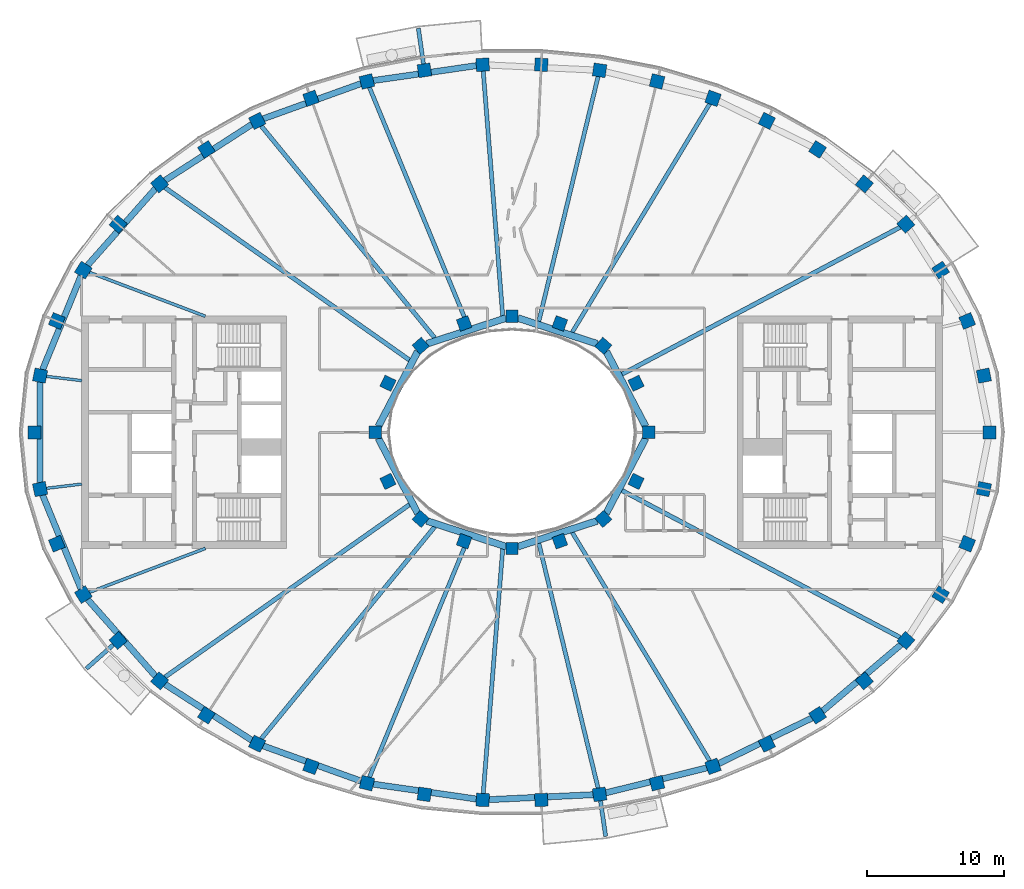
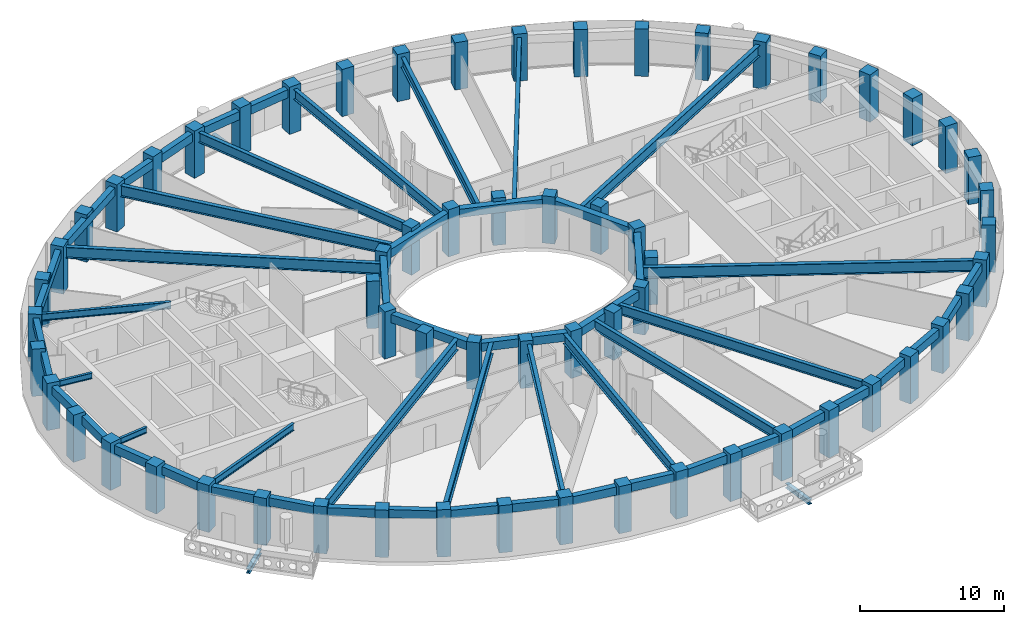
# One storey, part 1 of 16: 62 columns, 44 beams.
"""IFC4 building model written with IfcOpenShell, lengths in metres."""

from ifc_helpers import new_model, si_unit, direction, frame, origin, origin_2d, place, context, subcontext, project, spatial, rectangle, i_section, extrude, material, material_profile, profile_set, type_object, element, save


model = new_model("IFC4")

# Units and contexts
model_context = context("Model", 3, precision=1e-05, world=origin(), true_north=direction((0.0, 1.0)))
body_context = subcontext(model_context, "Body", "Model", "MODEL_VIEW")
ifc_project = project(units=[si_unit("LENGTHUNIT", "METRE"), si_unit("AREAUNIT", "SQUARE_METRE"), si_unit("VOLUMEUNIT", "CUBIC_METRE"), si_unit("PLANEANGLEUNIT", "RADIAN"), si_unit("MASSUNIT", "GRAM", prefix="KILO")], contexts=[model_context])

# Site, building, storey
site_placement = place(None, origin())
site = spatial("IfcSite", under=ifc_project, at=site_placement, CompositionType="ELEMENT")
building_placement = place(site_placement, origin())
building = spatial("IfcBuilding", under=site, at=building_placement, Name="Noorbagh Ring Tower", CompositionType="ELEMENT")
storey_placement = place(building_placement, frame((0.0, 0.0, 311.0)))
storey = spatial("IfcBuildingStorey", under=building, at=storey_placement, Name="L67", CompositionType="ELEMENT", Elevation=311.0)

# Columns
ifc_material_1 = material(Name="Concrete C50/60", Category="concrete")
ifc_material_profile_1 = material_profile(ifc_material_1, rectangle(XDim=0.949951171875, YDim=0.949951171875, at=origin_2d()), Name="RC950x950")
ifc_profile_set_1 = profile_set([ifc_material_profile_1], Name="Concrete C50/60")
column_type_1 = type_object("IfcColumnType", Name="STR-COL-RC950x950-C50-60", PredefinedType="COLUMN", material=ifc_profile_set_1)
for number, where, z_axis, x_axis, name in (
    (1, (34.944580078125, 0.0, 0.0), (0.0, 0.0, 1.0), (0.0, 1.0, 0.0), "L67/col/R1-01"),
    (2, (34.52685546875, 4.150634765625, 0.0), (0.0, 0.0, 1.0), (-0.19723040178, 0.9803571638, 0.0), "L67/col/R1-02"),
    (3, (33.30517578125, 8.1494140625, 0.0), (0.0, 0.0, 1.0), (-0.378989499959, 0.925400971969, 0.0), "L67/col/R1-03"),
    (4, (31.364990234375, 11.87109375, 0.0), (0.0, 0.0, 1.0), (-0.535190403059, 0.844731455833, 0.0), "L67/col/R1-04"),
    (5, (28.81884765625, 15.23046875, 0.0), (0.0, 0.0, 1.0), (-0.662635642662, 0.748941923699, 0.0), "L67/col/R1-05"),
    (6, (25.78271484375, 18.180419921875, 0.0), (0.0, 0.0, 1.0), (-0.763035199656, 0.646356932419, 0.0), "L67/col/R1-06"),
    (7, (22.362060546875, 20.699951171875, 0.0), (0.0, 0.0, 1.0), (-0.840247639643, 0.542202825586, 0.0), "L67/col/R1-07"),
    (8, (18.646240234375, 22.785400390625, 0.0), (0.0, 0.0, 1.0), (-0.898399080868, 0.439180021741, 0.0), "L67/col/R1-08"),
    (9, (14.70947265625, 24.44091796875, 0.0), (0.0, 0.0, 1.0), (-0.941024726094, 0.338337797003, 0.0), "L67/col/R1-09"),
    (10, (10.61328125, 25.673583984375, 0.0), (0.0, 0.0, 1.0), (-0.970829360981, 0.239771457553, 0.0), "L67/col/R1-10"),
    (11, (6.4091796875, 26.49072265625, 0.0), (0.0, 0.0, 1.0), (-0.989713114048, 0.143066249975, 0.0), "L67/col/R1-11"),
    (12, (2.14306640625, 26.89794921875, 0.0), (0.0, 0.0, 1.0), (-0.998868731212, 0.047552684538, 0.0), "L67/col/R1-12"),
    (13, (-2.14306640625, 26.89794921875, 0.0), (0.0, 0.0, 1.0), (-0.998868731212, -0.047552684538, 0.0), "L67/col/R1-13"),
    (14, (-6.4091796875, 26.49072265625, 0.0), (0.0, 0.0, 1.0), (-0.989713114048, -0.143066249975, 0.0), "L67/col/R1-14"),
    (15, (-10.61328125, 25.673583984375, 0.0), (0.0, 0.0, 1.0), (-0.970829360981, -0.239771457553, 0.0), "L67/col/R1-15"),
    (16, (-14.70947265625, 24.44091796875, 0.0), (0.0, 0.0, 1.0), (-0.941024726094, -0.338337797003, 0.0), "L67/col/R1-16"),
    (17, (-18.646240234375, 22.785400390625, 0.0), (0.0, 0.0, 1.0), (-0.898399080868, -0.439180021741, 0.0), "L67/col/R1-17"),
    (18, (-22.362060546875, 20.699951171875, 0.0), (0.0, 0.0, 1.0), (-0.840247639643, -0.542202825586, 0.0), "L67/col/R1-18"),
    (19, (-25.78271484375, 18.180419921875, 0.0), (0.0, 0.0, 1.0), (-0.763035199656, -0.646356932419, 0.0), "L67/col/R1-19"),
    (20, (-28.81884765625, 15.23046875, 0.0), (0.0, 0.0, 1.0), (-0.662635642662, -0.748941923699, 0.0), "L67/col/R1-20"),
    (21, (-31.364990234375, 11.87109375, 0.0), (0.0, 0.0, 1.0), (-0.535190403059, -0.844731455833, 0.0), "L67/col/R1-21"),
    (22, (-33.30517578125, 8.1494140625, 0.0), (0.0, 0.0, 1.0), (-0.378989499959, -0.925400971969, 0.0), "L67/col/R1-22"),
    (23, (-34.52685546875, 4.150634765625, 0.0), (0.0, 0.0, 1.0), (-0.19723040178, -0.9803571638, 0.0), "L67/col/R1-23"),
    (24, (-34.944580078125, 0.0, 0.0), (0.0, 0.0, 1.0), (0.0, -1.0, 0.0), "L67/col/R1-24"),
    (25, (-34.52685546875, -4.150634765625, 0.0), (0.0, 0.0, 1.0), (0.19723040178, -0.9803571638, 0.0), "L67/col/R1-25"),
    (26, (-33.30517578125, -8.1494140625, 0.0), (0.0, 0.0, 1.0), (0.378989499959, -0.925400971969, 0.0), "L67/col/R1-26"),
    (27, (-31.364990234375, -11.87109375, 0.0), (0.0, 0.0, 1.0), (0.535190403059, -0.844731455833, 0.0), "L67/col/R1-27"),
    (28, (-28.81884765625, -15.23046875, 0.0), (0.0, 0.0, 1.0), (0.662635642662, -0.748941923699, 0.0), "L67/col/R1-28"),
    (29, (-25.78271484375, -18.180419921875, 0.0), (0.0, 0.0, 1.0), (0.763035199656, -0.646356932419, 0.0), "L67/col/R1-29"),
    (30, (-22.362060546875, -20.699951171875, 0.0), (0.0, 0.0, 1.0), (0.840247639643, -0.542202825586, 0.0), "L67/col/R1-30"),
    (31, (-18.646240234375, -22.785400390625, 0.0), (0.0, 0.0, 1.0), (0.898399080868, -0.439180021741, 0.0), "L67/col/R1-31"),
    (32, (-14.70947265625, -24.44091796875, 0.0), (0.0, 0.0, 1.0), (0.941024726094, -0.338337797003, 0.0), "L67/col/R1-32"),
    (33, (-10.61328125, -25.673583984375, 0.0), (0.0, 0.0, 1.0), (0.970829360981, -0.239771457553, 0.0), "L67/col/R1-33"),
    (34, (-6.4091796875, -26.49072265625, 0.0), (0.0, 0.0, 1.0), (0.989713114048, -0.143066249975, 0.0), "L67/col/R1-34"),
    (35, (-2.14306640625, -26.89794921875, 0.0), (0.0, 0.0, 1.0), (0.998868731212, -0.047552684538, 0.0), "L67/col/R1-35"),
    (36, (2.14306640625, -26.89794921875, 0.0), (0.0, 0.0, 1.0), (0.998868731212, 0.047552684538, 0.0), "L67/col/R1-36"),
    (37, (6.4091796875, -26.49072265625, 0.0), (0.0, 0.0, 1.0), (0.989713114048, 0.143066249975, 0.0), "L67/col/R1-37"),
    (38, (10.61328125, -25.673583984375, 0.0), (0.0, 0.0, 1.0), (0.970829360981, 0.239771457553, 0.0), "L67/col/R1-38"),
    (39, (14.70947265625, -24.44091796875, 0.0), (0.0, 0.0, 1.0), (0.941024726094, 0.338337797003, 0.0), "L67/col/R1-39"),
    (40, (18.646240234375, -22.785400390625, 0.0), (0.0, 0.0, 1.0), (0.898399080868, 0.439180021741, 0.0), "L67/col/R1-40"),
    (41, (22.362060546875, -20.699951171875, 0.0), (0.0, 0.0, 1.0), (0.840247639643, 0.542202825586, 0.0), "L67/col/R1-41"),
    (42, (25.78271484375, -18.180419921875, 0.0), (0.0, 0.0, 1.0), (0.763035199656, 0.646356932419, 0.0), "L67/col/R1-42"),
    (43, (28.81884765625, -15.23046875, 0.0), (0.0, 0.0, 1.0), (0.662635642662, 0.748941923699, 0.0), "L67/col/R1-43"),
    (44, (31.364990234375, -11.87109375, 0.0), (0.0, 0.0, 1.0), (0.535190403059, 0.844731455833, 0.0), "L67/col/R1-44"),
    (45, (33.30517578125, -8.1494140625, 0.0), (0.0, 0.0, 1.0), (0.378989499959, 0.925400971969, 0.0), "L67/col/R1-45"),
    (46, (34.52685546875, -4.150634765625, 0.0), (0.0, 0.0, 1.0), (0.19723040178, 0.9803571638, 0.0), "L67/col/R1-46"),
):
    element("IfcColumn", number, at=place(storey_placement, frame(where, z_axis=z_axis, x_axis=x_axis)), inside=storey, type_object=column_type_1, Name=name, PredefinedType="COLUMN", context=body_context, shape_type="SweptSolid", body=[
        extrude(rectangle(XDim=0.949951171875, YDim=0.949951171875, at=origin_2d()), origin(), (0.0, 0.0, 1.0), 4.0),
    ])
ifc_material_2 = material(Name="Concrete C50/60", Category="concrete")
ifc_material_profile_2 = material_profile(ifc_material_2, rectangle(XDim=0.89990234375, YDim=0.89990234375, at=origin_2d()), Name="RC900x900")
ifc_profile_set_2 = profile_set([ifc_material_profile_2], Name="Concrete C50/60")
column_type_2 = type_object("IfcColumnType", Name="STR-ICOL-RC900x900-C50-60", PredefinedType="COLUMN", material=ifc_profile_set_2)
for number, where, z_axis, x_axis, name in (
    (47, (10.00830078125, 0.0, 0.0), (0.0, 0.0, 1.0), (0.0, 1.0, 0.0), "L67/col/IR2-W01"),
    (48, (9.07568359375, 3.58837890625, 0.0), (0.0, 0.0, 1.0), (-0.428666979171, 0.903462573087, 0.0), "L67/col/IR2-W03"),
    (49, (6.68212890625, 6.333740234375, 0.0), (0.0, 0.0, 1.0), (-0.75102249095, 0.660276622399, 0.0), "L67/col/IR2-W05"),
    (50, (3.5009765625, 7.967041015625, 0.0), (0.0, 0.0, 1.0), (-0.939019578916, 0.343863679984, 0.0), "L67/col/IR2-W07"),
    (51, (0.0, 8.5029296875, 0.0), (0.0, 0.0, 1.0), (-1.0, 0.0, 0.0), "L67/col/IR2-W09"),
    (52, (-3.5009765625, 7.967041015625, 0.0), (0.0, 0.0, 1.0), (-0.939019578916, -0.343863679984, 0.0), "L67/col/IR2-W11"),
    (53, (-6.68212890625, 6.333740234375, 0.0), (0.0, 0.0, 1.0), (-0.75102249095, -0.660276622399, 0.0), "L67/col/IR2-W13"),
    (54, (-9.07568359375, 3.58837890625, 0.0), (0.0, 0.0, 1.0), (-0.428666979171, -0.903462573087, 0.0), "L67/col/IR2-W15"),
    (55, (-10.00830078125, 0.0, 0.0), (0.0, 0.0, 1.0), (0.0, -1.0, 0.0), "L67/col/IR2-W17"),
    (56, (-9.07568359375, -3.58837890625, 0.0), (0.0, 0.0, 1.0), (0.428666979171, -0.903462573087, 0.0), "L67/col/IR2-W19"),
    (57, (-6.68212890625, -6.333740234375, 0.0), (0.0, 0.0, 1.0), (0.75102249095, -0.660276622399, 0.0), "L67/col/IR2-W21"),
    (58, (-3.5009765625, -7.967041015625, 0.0), (0.0, 0.0, 1.0), (0.939019578916, -0.343863679984, 0.0), "L67/col/IR2-W23"),
    (59, (0.0, -8.5029296875, 0.0), (0.0, 0.0, 1.0), (1.0, 0.0, 0.0), "L67/col/IR2-W25"),
    (60, (3.5009765625, -7.967041015625, 0.0), (0.0, 0.0, 1.0), (0.939019578916, 0.343863679984, 0.0), "L67/col/IR2-W27"),
    (61, (6.68212890625, -6.333740234375, 0.0), (0.0, 0.0, 1.0), (0.75102249095, 0.660276622399, 0.0), "L67/col/IR2-W29"),
    (62, (9.07568359375, -3.58837890625, 0.0), (0.0, 0.0, 1.0), (0.428666979171, 0.903462573087, 0.0), "L67/col/IR2-W31"),
):
    element("IfcColumn", number, at=place(storey_placement, frame(where, z_axis=z_axis, x_axis=x_axis)), inside=storey, type_object=column_type_2, Name=name, PredefinedType="COLUMN", context=body_context, shape_type="SweptSolid", body=[
        extrude(rectangle(XDim=0.89990234375, YDim=0.89990234375, at=origin_2d()), origin(), (0.0, 0.0, 1.0), 4.0),
    ])

# Beams
ifc_material_3 = material(Name="Steel S355", Category="steel")
ifc_material_profile_3 = material_profile(ifc_material_3, i_section(OverallWidth=0.300048828125, OverallDepth=0.39990234375, WebThickness=0.013427734375, FlangeThickness=0.02392578125, FilletRadius=0.027099609375, at=origin_2d()), Name="HEB400")
ifc_profile_set_3 = profile_set([ifc_material_profile_3], Name="Steel S355")
beam_type_1 = type_object("IfcBeamType", Name="STR-BALCONY-BRACKET-HEB400", PredefinedType="BEAM", material=ifc_profile_set_3)
beam_1_placement = place(storey_placement, frame((-6.474365234375, 26.941162109375, -0.5), z_axis=(-0.143047035154, 0.989715891422, 0.0), x_axis=(-0.989715891422, -0.143047035154, 0.0)))
element("IfcBeam", 63, at=beam_1_placement, inside=storey, type_object=beam_type_1, Name="Balcony bracket beam BN04", PredefinedType="BEAM", context=body_context, shape_type="SweptSolid", body=[
    extrude(i_section(OverallWidth=0.300048828125, OverallDepth=0.39990234375, WebThickness=0.013427734375, FlangeThickness=0.02392578125, FilletRadius=0.027099609375, at=origin_2d()), origin(), (0.0, 0.0, 1.0), 2.64892578125),
])
beam_2_placement = place(storey_placement, frame((-29.15966796875, -15.531982421875, -0.5), z_axis=(-0.749056248736, -0.662506404671, 0.0), x_axis=(0.662506404671, -0.749056248736, 0.0)))
element("IfcBeam", 64, at=beam_2_placement, inside=storey, type_object=beam_type_1, Name="Balcony bracket beam BS01", PredefinedType="BEAM", context=body_context, shape_type="SweptSolid", body=[
    extrude(i_section(OverallWidth=0.300048828125, OverallDepth=0.39990234375, WebThickness=0.013427734375, FlangeThickness=0.02392578125, FilletRadius=0.027099609375, at=origin_2d()), origin(), (0.0, 0.0, 1.0), 2.654296875),
])
beam_3_placement = place(storey_placement, frame((6.474365234375, -26.941162109375, -0.5), z_axis=(0.143047035154, -0.989715891422, 0.0), x_axis=(0.989715891422, 0.143047035154, 0.0)))
element("IfcBeam", 65, at=beam_3_placement, inside=storey, type_object=beam_type_1, Name="Balcony bracket beam BS04", PredefinedType="BEAM", context=body_context, shape_type="SweptSolid", body=[
    extrude(i_section(OverallWidth=0.300048828125, OverallDepth=0.39990234375, WebThickness=0.013427734375, FlangeThickness=0.02392578125, FilletRadius=0.027099609375, at=origin_2d()), origin(), (0.0, 0.0, 1.0), 2.64892578125),
])
ifc_material_4 = material(Name="Steel S355", Category="steel")
ifc_material_profile_4 = material_profile(ifc_material_4, i_section(OverallWidth=0.199951171875, OverallDepth=0.5, WebThickness=0.01025390625, FlangeThickness=0.01611328125, FilletRadius=0.02099609375, at=origin_2d()), Name="IPE500")
ifc_profile_set_4 = profile_set([ifc_material_profile_4], Name="Steel S355")
beam_type_2 = type_object("IfcBeamType", Name="STR-RAD-IPE500", PredefinedType="BEAM", material=ifc_profile_set_4)
for number, where, z_axis, x_axis, name in (
    (66, (-34.073486328125, 4.09619140625, 3.449951171875), (0.99285071941, -0.11936267828, 0.0), (0.11936267828, 0.99285071941, 0.0), "L67/bm/RD23"),
    (67, (-34.073486328125, -4.09619140625, 3.449951171875), (0.99285071941, 0.11936267828, 0.0), (-0.11936267828, 0.99285071941, 0.0), "L67/bm/RD25"),
):
    element("IfcBeam", number, at=place(storey_placement, frame(where, z_axis=z_axis, x_axis=x_axis)), inside=storey, type_object=beam_type_2, Name=name, PredefinedType="BEAM", context=body_context, shape_type="SweptSolid", body=[
        extrude(i_section(OverallWidth=0.199951171875, OverallDepth=0.5, WebThickness=0.01025390625, FlangeThickness=0.01611328125, FilletRadius=0.02099609375, at=origin_2d()), origin(), (0.0, 0.0, 1.0), 2.61181640625),
    ])
ifc_material_5 = material(Name="Steel S355", Category="steel")
ifc_material_profile_5 = material_profile(ifc_material_5, i_section(OverallWidth=0.219970703125, OverallDepth=0.60009765625, WebThickness=0.011962890625, FlangeThickness=0.01904296875, FilletRadius=0.02392578125, at=origin_2d()), Name="IPE600")
ifc_profile_set_5 = profile_set([ifc_material_profile_5], Name="Steel S355")
beam_type_3 = type_object("IfcBeamType", Name="STR-RAD-IPE600", PredefinedType="BEAM", material=ifc_profile_set_5)
for number, where, z_axis, x_axis, name in (
    (68, (-30.93017578125, 11.706298828125, 3.39990234375), (0.935258347676, -0.353965850192, 0.0), (0.353965850192, 0.935258347676, 0.0), "L67/bm/RD21"),
    (69, (-30.93017578125, -11.706298828125, 3.39990234375), (0.935258347676, 0.353965850192, 0.0), (-0.353965850192, 0.935258347676, 0.0), "L67/bm/RD27"),
):
    element("IfcBeam", number, at=place(storey_placement, frame(where, z_axis=z_axis, x_axis=x_axis)), inside=storey, type_object=beam_type_3, Name=name, PredefinedType="BEAM", context=body_context, shape_type="SweptSolid", body=[
        extrude(i_section(OverallWidth=0.219970703125, OverallDepth=0.60009765625, WebThickness=0.011962890625, FlangeThickness=0.01904296875, FilletRadius=0.02392578125, at=origin_2d()), origin(), (0.0, 0.0, 1.0), 9.078125),
    ])
ifc_material_6 = material(Name="Steel S355", Category="steel")
ifc_material_profile_6 = material_profile(ifc_material_6, i_section(OverallWidth=0.300048828125, OverallDepth=0.85009765625, WebThickness=0.013916015625, FlangeThickness=0.028076171875, at=origin_2d()), Name="PG850x300x14x28")
ifc_profile_set_6 = profile_set([ifc_material_profile_6], Name="Steel S355")
beam_type_4 = type_object("IfcBeamType", Name="STR-RAD-PG850x300x14x28", PredefinedType="BEAM", material=ifc_profile_set_6)
beam_4_placement = place(storey_placement, frame((14.469970703125, 24.04296875, 3.27490234375), z_axis=(-0.515650204939, -0.856799198264, 0.0), x_axis=(0.856799198264, -0.515650204939, 0.0)))
element("IfcBeam", 70, at=beam_4_placement, inside=storey, type_object=beam_type_4, Name="L67/bm/RD09", PredefinedType="BEAM", context=body_context, shape_type="SweptSolid", body=[
    extrude(i_section(OverallWidth=0.300048828125, OverallDepth=0.85009765625, WebThickness=0.013916015625, FlangeThickness=0.028076171875, at=origin_2d()), origin(), (0.0, 0.0, 1.0), 19.522705078125),
])
beam_5_placement = place(storey_placement, frame((6.3017578125, 26.046630859375, 3.27490234375), z_axis=(-0.235155145901, -0.97195784752, 0.0), x_axis=(0.97195784752, -0.235155145901, 0.0)))
element("IfcBeam", 71, at=beam_5_placement, inside=storey, type_object=beam_type_4, Name="L67/bm/RD11", PredefinedType="BEAM", context=body_context, shape_type="SweptSolid", body=[
    extrude(i_section(OverallWidth=0.300048828125, OverallDepth=0.85009765625, WebThickness=0.013916015625, FlangeThickness=0.028076171875, at=origin_2d()), origin(), (0.0, 0.0, 1.0), 18.456298828125),
])
beam_6_placement = place(storey_placement, frame((-2.10693359375, 26.444091796875, 3.27490234375), z_axis=(0.079423498712, -0.996840964172, 0.0), x_axis=(0.996840964172, 0.079423498712, 0.0)))
element("IfcBeam", 72, at=beam_6_placement, inside=storey, type_object=beam_type_4, Name="L67/bm/RD13", PredefinedType="BEAM", context=body_context, shape_type="SweptSolid", body=[
    extrude(i_section(OverallWidth=0.300048828125, OverallDepth=0.85009765625, WebThickness=0.013916015625, FlangeThickness=0.028076171875, at=origin_2d()), origin(), (0.0, 0.0, 1.0), 17.976318359375),
])
for number, where, z_axis, x_axis, name in (
    (73, (-10.437255859375, 25.248046875, 3.27490234375), (0.382035124729, -0.924147803911, 0.0), (0.924147803911, 0.382035124729, 0.0), "L67/bm/RD15"),
    (74, (-10.437255859375, -25.248046875, 3.27490234375), (0.382035124729, 0.924147803911, 0.0), (-0.924147803911, 0.382035124729, 0.0), "L67/bm/RD33"),
):
    element("IfcBeam", number, at=place(storey_placement, frame(where, z_axis=z_axis, x_axis=x_axis)), inside=storey, type_object=beam_type_4, Name=name, PredefinedType="BEAM", context=body_context, shape_type="SweptSolid", body=[
        extrude(i_section(OverallWidth=0.300048828125, OverallDepth=0.85009765625, WebThickness=0.013916015625, FlangeThickness=0.028076171875, at=origin_2d()), origin(), (0.0, 0.0, 1.0), 18.977294921875),
    ])
beam_7_placement = place(storey_placement, frame((-2.10693359375, -26.444091796875, 3.27490234375), z_axis=(0.079423498712, 0.996840964172, 0.0), x_axis=(-0.996840964172, 0.079423498712, 0.0)))
element("IfcBeam", 75, at=beam_7_placement, inside=storey, type_object=beam_type_4, Name="L67/bm/RD35", PredefinedType="BEAM", context=body_context, shape_type="SweptSolid", body=[
    extrude(i_section(OverallWidth=0.300048828125, OverallDepth=0.85009765625, WebThickness=0.013916015625, FlangeThickness=0.028076171875, at=origin_2d()), origin(), (0.0, 0.0, 1.0), 17.976318359375),
])
beam_8_placement = place(storey_placement, frame((6.3017578125, -26.046630859375, 3.27490234375), z_axis=(-0.235155145901, 0.97195784752, 0.0), x_axis=(-0.97195784752, -0.235155145901, 0.0)))
element("IfcBeam", 76, at=beam_8_placement, inside=storey, type_object=beam_type_4, Name="L67/bm/RD37", PredefinedType="BEAM", context=body_context, shape_type="SweptSolid", body=[
    extrude(i_section(OverallWidth=0.300048828125, OverallDepth=0.85009765625, WebThickness=0.013916015625, FlangeThickness=0.028076171875, at=origin_2d()), origin(), (0.0, 0.0, 1.0), 18.456298828125),
])
beam_9_placement = place(storey_placement, frame((14.469970703125, -24.04296875, 3.27490234375), z_axis=(-0.515650204939, 0.856799198264, 0.0), x_axis=(-0.856799198264, -0.515650204939, 0.0)))
element("IfcBeam", 77, at=beam_9_placement, inside=storey, type_object=beam_type_4, Name="L67/bm/RD39", PredefinedType="BEAM", context=body_context, shape_type="SweptSolid", body=[
    extrude(i_section(OverallWidth=0.300048828125, OverallDepth=0.85009765625, WebThickness=0.013916015625, FlangeThickness=0.028076171875, at=origin_2d()), origin(), (0.0, 0.0, 1.0), 19.522705078125),
])
ifc_material_7 = material(Name="Steel S355", Category="steel")
ifc_material_profile_7 = material_profile(ifc_material_7, i_section(OverallWidth=0.320068359375, OverallDepth=0.949951171875, WebThickness=0.01611328125, FlangeThickness=0.030029296875, at=origin_2d()), Name="PG950x320x16x30")
ifc_profile_set_7 = profile_set([ifc_material_profile_7], Name="Steel S355")
beam_type_5 = type_object("IfcBeamType", Name="STR-RAD-PG950x320x16x30", PredefinedType="BEAM", material=ifc_profile_set_7)
beam_10_placement = place(storey_placement, frame((28.404296875, 15.011474609375, 3.22509765625), z_axis=(-0.884125650742, -0.467249220118, 0.0), x_axis=(0.467249220118, -0.884125650742, 0.0)))
element("IfcBeam", 78, at=beam_10_placement, inside=storey, type_object=beam_type_5, Name="L67/bm/RD05", PredefinedType="BEAM", context=body_context, shape_type="SweptSolid", body=[
    extrude(i_section(OverallWidth=0.320068359375, OverallDepth=0.949951171875, WebThickness=0.01611328125, FlangeThickness=0.030029296875, at=origin_2d()), origin(), (0.0, 0.0, 1.0), 23.0361328125),
])
beam_11_placement = place(storey_placement, frame((-18.349853515625, 22.42333984375, 3.22509765625), z_axis=(0.633310080716, -0.773898146828, 0.0), x_axis=(0.773898146828, 0.633310080716, 0.0)))
element("IfcBeam", 79, at=beam_11_placement, inside=storey, type_object=beam_type_5, Name="L67/bm/RD17", PredefinedType="BEAM", context=body_context, shape_type="SweptSolid", body=[
    extrude(i_section(OverallWidth=0.320068359375, OverallDepth=0.949951171875, WebThickness=0.01611328125, FlangeThickness=0.030029296875, at=origin_2d()), origin(), (0.0, 0.0, 1.0), 20.045166015625),
])
for number, where, z_axis, x_axis, name in (
    (80, (-25.39794921875, 17.908935546875, 3.22509765625), (0.817258066594, -0.576271856494, 0.0), (0.576271856494, 0.817258066594, 0.0), "L67/bm/RD19"),
    (81, (-25.39794921875, -17.908935546875, 3.22509765625), (0.817258066594, 0.576271856494, 0.0), (-0.576271856494, 0.817258066594, 0.0), "L67/bm/RD29"),
):
    element("IfcBeam", number, at=place(storey_placement, frame(where, z_axis=z_axis, x_axis=x_axis)), inside=storey, type_object=beam_type_5, Name=name, PredefinedType="BEAM", context=body_context, shape_type="SweptSolid", body=[
        extrude(i_section(OverallWidth=0.320068359375, OverallDepth=0.949951171875, WebThickness=0.01611328125, FlangeThickness=0.030029296875, at=origin_2d()), origin(), (0.0, 0.0, 1.0), 21.907958984375),
    ])
beam_12_placement = place(storey_placement, frame((-18.349853515625, -22.42333984375, 3.22509765625), z_axis=(0.633310080716, 0.773898146828, 0.0), x_axis=(-0.773898146828, 0.633310080716, 0.0)))
element("IfcBeam", 82, at=beam_12_placement, inside=storey, type_object=beam_type_5, Name="L67/bm/RD31", PredefinedType="BEAM", context=body_context, shape_type="SweptSolid", body=[
    extrude(i_section(OverallWidth=0.320068359375, OverallDepth=0.949951171875, WebThickness=0.01611328125, FlangeThickness=0.030029296875, at=origin_2d()), origin(), (0.0, 0.0, 1.0), 20.045166015625),
])
beam_13_placement = place(storey_placement, frame((28.404296875, -15.011474609375, 3.22509765625), z_axis=(-0.884125650742, 0.467249220118, 0.0), x_axis=(-0.467249220118, -0.884125650742, 0.0)))
element("IfcBeam", 83, at=beam_13_placement, inside=storey, type_object=beam_type_5, Name="L67/bm/RD43", PredefinedType="BEAM", context=body_context, shape_type="SweptSolid", body=[
    extrude(i_section(OverallWidth=0.320068359375, OverallDepth=0.949951171875, WebThickness=0.01611328125, FlangeThickness=0.030029296875, at=origin_2d()), origin(), (0.0, 0.0, 1.0), 23.0361328125),
])
ifc_material_8 = material(Name="Concrete C40/50", Category="concrete")
ifc_material_profile_8 = material_profile(ifc_material_8, rectangle(XDim=0.5, YDim=0.699951171875, at=origin_2d()), Name="RC500x700")
ifc_profile_set_8 = profile_set([ifc_material_profile_8], Name="Concrete C40/50")
beam_type_6 = type_object("IfcBeamType", Name="STR-RB-RC500x700-C40-50", PredefinedType="BEAM", material=ifc_profile_set_8)
beam_14_placement = place(storey_placement, frame((9.781494140625, 0.432373046875, 3.35009765625), z_axis=(-0.464959609013, 0.885331893691, 0.0), x_axis=(-0.885331893691, -0.464959609013, 0.0)))
element("IfcBeam", 84, at=beam_14_placement, inside=storey, type_object=beam_type_6, Name="L67/bm/RG01", PredefinedType="BEAM", context=body_context, shape_type="SweptSolid", body=[
    extrude(rectangle(XDim=0.5, YDim=0.699951171875, at=origin_2d()), origin(), (0.0, 0.0, 1.0), 6.203857421875),
])
for number, where, z_axis, x_axis, name in (
    (85, (6.235107421875, 6.47900390625, 3.35009765625), (-0.951146317375, 0.308740478303, 0.0), (-0.308740478303, -0.951146317375, 0.0), "L67/bm/RG03"),
    (86, (-0.430908203125, 8.363037109375, 3.35009765625), (-0.951146317375, -0.308740478303, 0.0), (0.308740478303, -0.951146317375, 0.0), "L67/bm/RG05"),
):
    element("IfcBeam", number, at=place(storey_placement, frame(where, z_axis=z_axis, x_axis=x_axis)), inside=storey, type_object=beam_type_6, Name=name, PredefinedType="BEAM", context=body_context, shape_type="SweptSolid", body=[
        extrude(rectangle(XDim=0.5, YDim=0.699951171875, at=origin_2d()), origin(), (0.0, 0.0, 1.0), 6.102294921875),
    ])
for number, where, z_axis, x_axis, name in (
    (87, (-6.89697265625, 5.9248046875, 3.35009765625), (-0.464959609013, -0.885331893691, 0.0), (0.885331893691, -0.464959609013, 0.0), "L67/bm/RG07"),
    (88, (-9.781494140625, -0.432373046875, 3.35009765625), (0.464959609013, -0.885331893691, 0.0), (0.885331893691, 0.464959609013, 0.0), "L67/bm/RG09"),
):
    element("IfcBeam", number, at=place(storey_placement, frame(where, z_axis=z_axis, x_axis=x_axis)), inside=storey, type_object=beam_type_6, Name=name, PredefinedType="BEAM", context=body_context, shape_type="SweptSolid", body=[
        extrude(rectangle(XDim=0.5, YDim=0.699951171875, at=origin_2d()), origin(), (0.0, 0.0, 1.0), 6.203857421875),
    ])
for number, where, z_axis, x_axis, name in (
    (89, (-6.235107421875, -6.47900390625, 3.35009765625), (0.951146317375, -0.308740478303, 0.0), (0.308740478303, 0.951146317375, 0.0), "L67/bm/RG11"),
    (90, (0.430908203125, -8.363037109375, 3.35009765625), (0.951146317375, 0.308740478303, 0.0), (-0.308740478303, 0.951146317375, 0.0), "L67/bm/RG13"),
):
    element("IfcBeam", number, at=place(storey_placement, frame(where, z_axis=z_axis, x_axis=x_axis)), inside=storey, type_object=beam_type_6, Name=name, PredefinedType="BEAM", context=body_context, shape_type="SweptSolid", body=[
        extrude(rectangle(XDim=0.5, YDim=0.699951171875, at=origin_2d()), origin(), (0.0, 0.0, 1.0), 6.102294921875),
    ])
beam_15_placement = place(storey_placement, frame((6.89697265625, -5.9248046875, 3.35009765625), z_axis=(0.464959609013, 0.885331893691, 0.0), x_axis=(-0.885331893691, 0.464959609013, 0.0)))
element("IfcBeam", 91, at=beam_15_placement, inside=storey, type_object=beam_type_6, Name="L67/bm/RG15", PredefinedType="BEAM", context=body_context, shape_type="SweptSolid", body=[
    extrude(rectangle(XDim=0.5, YDim=0.699951171875, at=origin_2d()), origin(), (0.0, 0.0, 1.0), 6.203857421875),
])
ifc_material_9 = material(Name="Concrete C40/50", Category="concrete")
ifc_material_profile_9 = material_profile(ifc_material_9, rectangle(XDim=0.449951171875, YDim=0.699951171875, at=origin_2d()), Name="RC450x700")
ifc_profile_set_9 = profile_set([ifc_material_profile_9], Name="Concrete C40/50")
beam_type_7 = type_object("IfcBeamType", Name="STR-SB-RC450x700-C40-50", PredefinedType="BEAM", material=ifc_profile_set_9)
beam_16_placement = place(storey_placement, frame((-2.595703125, 26.83251953125, 3.35009765625), z_axis=(-0.989713688826, -0.14306227368, 0.0), x_axis=(0.14306227368, -0.989713688826, 0.0)))
element("IfcBeam", 92, at=beam_16_placement, inside=storey, type_object=beam_type_7, Name="L67/bm/SP13", PredefinedType="BEAM", context=body_context, shape_type="SweptSolid", body=[
    extrude(rectangle(XDim=0.449951171875, YDim=0.699951171875, at=origin_2d()), origin(), (0.0, 0.0, 1.0), 7.6435546875),
])
beam_17_placement = place(storey_placement, frame((-11.043701171875, 25.518798828125, 3.35009765625), z_axis=(-0.941030260788, -0.338322402866, 0.0), x_axis=(0.338322402866, -0.941030260788, 0.0)))
element("IfcBeam", 93, at=beam_17_placement, inside=storey, type_object=beam_type_7, Name="L67/bm/SP15", PredefinedType="BEAM", context=body_context, shape_type="SweptSolid", body=[
    extrude(rectangle(XDim=0.449951171875, YDim=0.699951171875, at=origin_2d()), origin(), (0.0, 0.0, 1.0), 7.62109375),
])
beam_18_placement = place(storey_placement, frame((-19.031494140625, 22.536865234375, 3.35009765625), z_axis=(-0.840242183288, -0.542211281165, 0.0), x_axis=(0.542211281165, -0.840242183288, 0.0)))
element("IfcBeam", 94, at=beam_18_placement, inside=storey, type_object=beam_type_7, Name="L67/bm/SP17", PredefinedType="BEAM", context=body_context, shape_type="SweptSolid", body=[
    extrude(rectangle(XDim=0.449951171875, YDim=0.699951171875, at=origin_2d()), origin(), (0.0, 0.0, 1.0), 7.57568359375),
])
beam_19_placement = place(storey_placement, frame((-26.08740234375, 17.8359375, 3.35009765625), z_axis=(-0.662645487246, -0.748933213466, 0.0), x_axis=(0.748933213466, -0.662645487246, 0.0)))
element("IfcBeam", 95, at=beam_19_placement, inside=storey, type_object=beam_type_7, Name="L67/bm/SP19", PredefinedType="BEAM", context=body_context, shape_type="SweptSolid", body=[
    extrude(rectangle(XDim=0.449951171875, YDim=0.699951171875, at=origin_2d()), origin(), (0.0, 0.0, 1.0), 7.50341796875),
])
beam_20_placement = place(storey_placement, frame((-31.540283203125, 11.443115234375, 3.35009765625), z_axis=(-0.378989151692, -0.925401114598, 0.0), x_axis=(0.925401114598, -0.378989151692, 0.0)))
element("IfcBeam", 96, at=beam_20_placement, inside=storey, type_object=beam_type_7, Name="L67/bm/SP21", PredefinedType="BEAM", context=body_context, shape_type="SweptSolid", body=[
    extrude(rectangle(XDim=0.449951171875, YDim=0.699951171875, at=origin_2d()), origin(), (0.0, 0.0, 1.0), 7.41650390625),
])
beam_21_placement = place(storey_placement, frame((-34.52685546875, 3.68603515625, 3.35009765625), z_axis=(0.0, -1.0, 0.0), x_axis=(1.0, 0.0, 0.0)))
element("IfcBeam", 97, at=beam_21_placement, inside=storey, type_object=beam_type_7, Name="L67/bm/SP23", PredefinedType="BEAM", context=body_context, shape_type="SweptSolid", body=[
    extrude(rectangle(XDim=0.449951171875, YDim=0.699951171875, at=origin_2d()), origin(), (0.0, 0.0, 1.0), 7.3720703125),
])
beam_22_placement = place(storey_placement, frame((-34.35107421875, -4.579833984375, 3.35009765625), z_axis=(0.378989151692, -0.925401114598, 0.0), x_axis=(0.925401114598, 0.378989151692, 0.0)))
element("IfcBeam", 98, at=beam_22_placement, inside=storey, type_object=beam_type_7, Name="L67/bm/SP25", PredefinedType="BEAM", context=body_context, shape_type="SweptSolid", body=[
    extrude(rectangle(XDim=0.449951171875, YDim=0.699951171875, at=origin_2d()), origin(), (0.0, 0.0, 1.0), 7.41650390625),
])
beam_23_placement = place(storey_placement, frame((-31.0595703125, -12.21630859375, 3.35009765625), z_axis=(0.662645487246, -0.748933213466, 0.0), x_axis=(0.748933213466, 0.662645487246, 0.0)))
element("IfcBeam", 99, at=beam_23_placement, inside=storey, type_object=beam_type_7, Name="L67/bm/SP27", PredefinedType="BEAM", context=body_context, shape_type="SweptSolid", body=[
    extrude(rectangle(XDim=0.449951171875, YDim=0.699951171875, at=origin_2d()), origin(), (0.0, 0.0, 1.0), 7.50341796875),
])
beam_24_placement = place(storey_placement, frame((-25.39697265625, -18.42919921875, 3.35009765625), z_axis=(0.840242183288, -0.542211281165, 0.0), x_axis=(0.542211281165, 0.840242183288, 0.0)))
element("IfcBeam", 100, at=beam_24_placement, inside=storey, type_object=beam_type_7, Name="L67/bm/SP29", PredefinedType="BEAM", context=body_context, shape_type="SweptSolid", body=[
    extrude(rectangle(XDim=0.449951171875, YDim=0.699951171875, at=origin_2d()), origin(), (0.0, 0.0, 1.0), 7.57568359375),
])
beam_25_placement = place(storey_placement, frame((-18.21533203125, -22.9404296875, 3.35009765625), z_axis=(0.941030260788, -0.338322402866, 0.0), x_axis=(0.338322402866, 0.941030260788, 0.0)))
element("IfcBeam", 101, at=beam_25_placement, inside=storey, type_object=beam_type_7, Name="L67/bm/SP31", PredefinedType="BEAM", context=body_context, shape_type="SweptSolid", body=[
    extrude(rectangle(XDim=0.449951171875, YDim=0.699951171875, at=origin_2d()), origin(), (0.0, 0.0, 1.0), 7.62109375),
])
beam_26_placement = place(storey_placement, frame((-10.16064453125, -25.739013671875, 3.35009765625), z_axis=(0.989713688826, -0.14306227368, 0.0), x_axis=(0.14306227368, 0.989713688826, 0.0)))
element("IfcBeam", 102, at=beam_26_placement, inside=storey, type_object=beam_type_7, Name="L67/bm/SP33", PredefinedType="BEAM", context=body_context, shape_type="SweptSolid", body=[
    extrude(rectangle(XDim=0.449951171875, YDim=0.699951171875, at=origin_2d()), origin(), (0.0, 0.0, 1.0), 7.6435546875),
])
beam_27_placement = place(storey_placement, frame((-1.6865234375, -26.876220703125, 3.35009765625), z_axis=(0.998869653919, 0.047533298648, 0.0), x_axis=(-0.047533298648, 0.998869653919, 0.0)))
element("IfcBeam", 103, at=beam_27_placement, inside=storey, type_object=beam_type_7, Name="L67/bm/SP35", PredefinedType="BEAM", context=body_context, shape_type="SweptSolid", body=[
    extrude(rectangle(XDim=0.449951171875, YDim=0.699951171875, at=origin_2d()), origin(), (0.0, 0.0, 1.0), 7.647705078125),
])
beam_28_placement = place(storey_placement, frame((6.853271484375, -26.381103515625, 3.35009765625), z_axis=(0.970830763324, 0.239765779427, 0.0), x_axis=(-0.239765779427, 0.970830763324, 0.0)))
element("IfcBeam", 104, at=beam_28_placement, inside=storey, type_object=beam_type_7, Name="L67/bm/SP37", PredefinedType="BEAM", context=body_context, shape_type="SweptSolid", body=[
    extrude(rectangle(XDim=0.449951171875, YDim=0.699951171875, at=origin_2d()), origin(), (0.0, 0.0, 1.0), 7.634765625),
])
beam_29_placement = place(storey_placement, frame((15.120849609375, -24.23974609375, 3.35009765625), z_axis=(0.898405762579, 0.43916635318, 0.0), x_axis=(-0.43916635318, 0.898405762579, 0.0)))
element("IfcBeam", 105, at=beam_29_placement, inside=storey, type_object=beam_type_7, Name="L67/bm/SP39", PredefinedType="BEAM", context=body_context, shape_type="SweptSolid", body=[
    extrude(rectangle(XDim=0.449951171875, YDim=0.699951171875, at=origin_2d()), origin(), (0.0, 0.0, 1.0), 7.6015625),
])
beam_30_placement = place(storey_placement, frame((22.71240234375, -20.4033203125, 3.35009765625), z_axis=(0.763022759798, 0.646371617594, 0.0), x_axis=(-0.646371617594, 0.763022759798, 0.0)))
element("IfcBeam", 106, at=beam_30_placement, inside=storey, type_object=beam_type_7, Name="L67/bm/SP41", PredefinedType="BEAM", context=body_context, shape_type="SweptSolid", body=[
    extrude(rectangle(XDim=0.449951171875, YDim=0.699951171875, at=origin_2d()), origin(), (0.0, 0.0, 1.0), 7.54296875),
])

save(model, "model.ifc")
